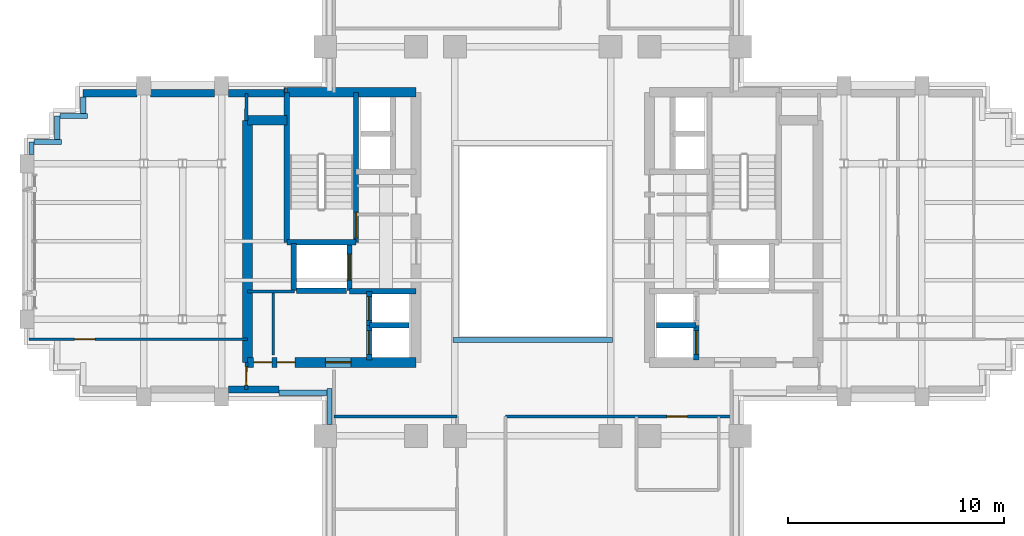
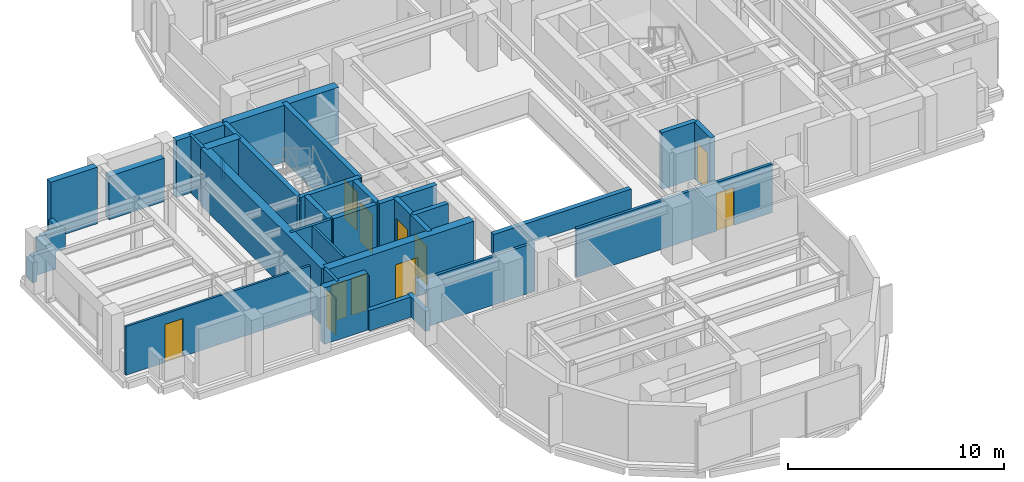
# One storey, part 8 of 14: 36 walls, 11 doors, 11 openings.
"""IFC4 building model written with IfcOpenShell, lengths in metres."""

from ifc_helpers import new_model, si_unit, direction, frame, frame_2d, origin, place, context, subcontext, project, spatial, rectangle, extrude, source, transform, mapped, material, layer, layer_set, type_object, element, fill, save


model = new_model("IFC4")

# Units and contexts
model_context = context("Model", 3, precision=1e-05, world=origin(), true_north=direction((0.0, 1.0)))
body_context = subcontext(model_context, "Body", "Model", "MODEL_VIEW")
ifc_project = project(units=[si_unit("LENGTHUNIT", "METRE"), si_unit("AREAUNIT", "SQUARE_METRE"), si_unit("VOLUMEUNIT", "CUBIC_METRE"), si_unit("PLANEANGLEUNIT", "RADIAN"), si_unit("MASSUNIT", "GRAM", prefix="KILO")], contexts=[model_context])

# Site, building, storey
site_placement = place(None, origin())
site = spatial("IfcSite", under=ifc_project, at=site_placement, CompositionType="ELEMENT")
building_placement = place(site_placement, origin())
building = spatial("IfcBuilding", under=site, at=building_placement, Name="Keilestroom Media Tower", CompositionType="ELEMENT")
storey_placement = place(building_placement, frame((0.0, 0.0, 127.800048828125)))
storey = spatial("IfcBuildingStorey", under=building, at=storey_placement, Name="L34", CompositionType="ELEMENT", Elevation=127.800048828125)

# Walls
ifc_material_1 = material(Name="Precast concrete C40/50", Category="concrete")
ifc_layer_1 = layer(ifc_material_1, 0.340087890625)
ifc_layer_set_1 = layer_set([ifc_layer_1], Name="Precast concrete C40/50")
wall_type_1 = type_object("IfcWallType", Name="Exterior-Masonry-Spandrel-Wall-340", PredefinedType="SOLIDWALL", material=ifc_layer_set_1)
wall_1_placement = place(storey_placement, frame((-20.800048828125, 6.85009765625, 0.0), z_axis=(0.0, 0.0, 1.0), x_axis=(1.0, 0.0, 0.0)))
element("IfcWall", 1, at=wall_1_placement, inside=storey, type_object=wall_type_1, Name="L34 Flank Masonry Wall EWL-L34-NW-1", PredefinedType="SOLIDWALL", context=body_context, shape_type="SweptSolid", body=[
    extrude(rectangle(XDim=2.483154296875, YDim=0.340087890625, at=frame_2d((1.24169921875, 0.0))), origin(), (0.0, 0.0, 1.0), 3.199951171875),
])
wall_2_placement = place(storey_placement, frame((-17.68310546875, 6.85009765625, 0.0), z_axis=(0.0, 0.0, 1.0), x_axis=(1.0, 0.0, 0.0)))
element("IfcWall", 2, at=wall_2_placement, inside=storey, type_object=wall_type_1, Name="L34 Flank Masonry Wall EWL-L34-NW-2", PredefinedType="SOLIDWALL", context=body_context, shape_type="SweptSolid", body=[
    extrude(rectangle(XDim=2.966064453125, YDim=0.340087890625, at=frame_2d((1.48291015625, 0.0))), origin(), (0.0, 0.0, 1.0), 2.449951171875),
])
wall_3_placement = place(storey_placement, frame((-14.0830078125, 6.85009765625, 0.0), z_axis=(0.0, 0.0, 1.0), x_axis=(1.0, 0.0, 0.0)))
element("IfcWall", 3, at=wall_3_placement, inside=storey, type_object=wall_type_1, Name="L34 Flank Masonry Wall EWL-L34-NW-3", PredefinedType="SOLIDWALL", context=body_context, shape_type="SweptSolid", body=[
    extrude(rectangle(XDim=2.5849609375, YDim=0.340087890625, at=frame_2d((1.29248046875, 0.0))), origin(), (0.0, 0.0, 1.0), 3.199951171875),
])
wall_4_placement = place(storey_placement, frame((-14.0830078125, -6.85009765625, 0.0), z_axis=(0.0, 0.0, 1.0), x_axis=(1.0, 0.0, 0.0)))
element("IfcWall", 4, at=wall_4_placement, inside=storey, type_object=wall_type_1, Name="L34 Flank Masonry Wall EWL-L34-SW-3", PredefinedType="SOLIDWALL", context=body_context, shape_type="SweptSolid", body=[
    extrude(rectangle(XDim=2.3330078125, YDim=0.340087890625, at=frame_2d((1.16650390625, 0.0))), origin(), (0.0, 0.0, 1.0), 3.199951171875),
])
ifc_material_2 = material(Name="Gypsum Plasterboard & Steel Stud", Category="steel")
ifc_layer_2 = layer(ifc_material_2, 0.1201171875)
ifc_layer_set_2 = layer_set([ifc_layer_2], Name="Gypsum Plasterboard & Steel Stud")
wall_type_2 = type_object("IfcWallType", Name="Interior-Partition-Wall-120", PredefinedType="PARTITIONING", material=ifc_layer_set_2)
wall_5_placement = place(storey_placement, frame((-12.010009765625, -5.260009765625, 0.0), z_axis=(0.0, 0.0, 1.0), x_axis=(0.0, 1.0, 0.0)))
element("IfcWall", 5, at=wall_5_placement, inside=storey, type_object=wall_type_2, Name="L34 Interior Wall WP-L34-RECLW-M", PredefinedType="PARTITIONING", context=body_context, shape_type="SweptSolid", body=[
    extrude(rectangle(XDim=2.93994140625, YDim=0.1201171875, at=frame_2d((1.469970703125, 0.0))), origin(), (0.0, 0.0, 1.0), 3.199951171875),
])

# Wall, opening, door
wall_6_placement = place(storey_placement, frame((-23.300048828125, -4.530029296875, 0.0), z_axis=(0.0, 0.0, 1.0), x_axis=(1.0, 0.0, 0.0)))
wall_6 = element("IfcWall", 6, at=wall_6_placement, inside=storey, type_object=wall_type_2, Name="L34 Interior Wall WP-L34-WA-CN", PredefinedType="PARTITIONING", context=body_context, shape_type="SweptSolid", body=[
    extrude(rectangle(XDim=10.10009765625, YDim=0.1201171875, at=frame_2d((5.050048828125, 0.0))), origin(), (0.0, 0.0, 1.0), 2.75),
])
opening_1_placement = place(wall_6_placement, frame((2.10009765625, 0.0, 0.0)))
opening_1 = element("IfcOpeningElement", 7, at=opening_1_placement, cuts=wall_6, Name="Opening DI-03", PredefinedType="OPENING", context=body_context, shape_type="SweptSolid", body=[
    extrude(rectangle(XDim=0.949951171875, YDim=2.14990234375, at=frame_2d((0.47509765625, 1.074951171875))), frame((0.0, 0.070068359375, 0.0), z_axis=(0.0, -1.0, 0.0), x_axis=(1.0, 0.0, 0.0)), (0.0, 0.0, 1.0), 0.14013671875),
])
ifc_material_3 = material(Name="Lacquered European Oak Leaf", Category="wood")
door_type_1 = type_object("IfcDoorType", Name="Interior-Room-And-Suite-Door-DI-03", OperationType="NOTDEFINED", PredefinedType="DOOR", material=ifc_material_3)
shared_shape_1 = source(origin(), body_context, "Body", "SweptSolid", [
    extrude(rectangle(XDim=0.949951171875, YDim=2.14990234375, at=frame_2d((0.47509765625, 1.074951171875))), frame((0.0, 0.02490234375, 0.0), z_axis=(0.0, -1.0, 0.0), x_axis=(1.0, 0.0, 0.0)), (0.0, 0.0, 1.0), 0.050048828125),
])
door_1_placement = place(opening_1_placement, origin())
door_1 = element("IfcDoor", 8, at=door_1_placement, inside=storey, type_object=door_type_1, Name="L34 Interior Door DI-L34-DWA-RN", OperationType="SINGLE_SWING_LEFT", OverallHeight=2.14990234375, OverallWidth=0.949951171875, PredefinedType="DOOR", context=body_context, shape_type="MappedRepresentation", body=[
    mapped(shared_shape_1, transform((0.0, 0.0, 0.0), x_axis=(1.0, 0.0, 0.0), y_axis=(0.0, 1.0, 0.0), z_axis=(0.0, 0.0, 1.0), scale=1.0)),
])
fill(opening_1, door_1)

# Walls
ifc_layer_3 = layer(ifc_material_2, 0.14990234375)
ifc_layer_set_3 = layer_set([ifc_layer_3], Name="Gypsum Plasterboard & Steel Stud")
wall_type_3 = type_object("IfcWallType", Name="Interior-Partition-Wall-150", PredefinedType="PARTITIONING", material=ifc_layer_set_3)
wall_7_placement = place(storey_placement, frame((-13.199951171875, -2.320068359375, 0.0), z_axis=(0.0, 0.0, 1.0), x_axis=(1.0, 0.0, 0.0)))
element("IfcWall", 9, at=wall_7_placement, inside=storey, type_object=wall_type_3, Name="L34 Interior Wall WP-L34-RECLW-N", PredefinedType="PARTITIONING", context=body_context, shape_type="SweptSolid", body=[
    extrude(rectangle(XDim=2.179931640625, YDim=0.14990234375, at=frame_2d((1.08984375, 0.0))), origin(), (0.0, 0.0, 1.0), 3.199951171875),
])
wall_8_placement = place(storey_placement, frame((-9.199951171875, -8.10009765625, 0.0), z_axis=(0.0, 0.0, 1.0), x_axis=(1.0, 0.0, 0.0)))
element("IfcWall", 10, at=wall_8_placement, inside=storey, type_object=wall_type_3, Name="L34 Interior Wall WP-L34-SL-BASE-W", PredefinedType="PARTITIONING", context=body_context, shape_type="SweptSolid", body=[
    extrude(rectangle(XDim=5.699951171875, YDim=0.14990234375, at=frame_2d((2.85009765625, 0.0))), origin(), (0.0, 0.0, 1.0), 2.75),
])

# Wall, opening, door
wall_9_placement = place(storey_placement, frame((-1.260009765625, -8.10009765625, 0.0), z_axis=(0.0, 0.0, 1.0), x_axis=(1.0, 0.0, 0.0)))
wall_9 = element("IfcWall", 11, at=wall_9_placement, inside=storey, type_object=wall_type_3, Name="L34 Interior Wall WP-L34-SL-BASE-E", PredefinedType="PARTITIONING", context=body_context, shape_type="SweptSolid", body=[
    extrude(rectangle(XDim=10.4599609375, YDim=0.14990234375, at=frame_2d((5.22998046875, 0.0))), origin(), (0.0, 0.0, 1.0), 2.75),
])
opening_2_placement = place(wall_9_placement, frame((7.4599609375, 0.0, 0.0)))
opening_2 = element("IfcOpeningElement", 12, at=opening_2_placement, cuts=wall_9, Name="Opening DI-03", PredefinedType="OPENING", context=body_context, shape_type="SweptSolid", body=[
    extrude(rectangle(XDim=0.949951171875, YDim=2.14990234375, at=frame_2d((0.47509765625, 1.074951171875))), frame((0.0, 0.0849609375, 0.0), z_axis=(0.0, -1.0, 0.0), x_axis=(1.0, 0.0, 0.0)), (0.0, 0.0, 1.0), 0.169921875),
])
door_2_placement = place(opening_2_placement, origin())
door_2 = element("IfcDoor", 13, at=door_2_placement, inside=storey, type_object=door_type_1, Name="L34 Interior Door DI-L34-DSL-WC", OperationType="SINGLE_SWING_LEFT", OverallHeight=2.14990234375, OverallWidth=0.949951171875, PredefinedType="DOOR", context=body_context, shape_type="MappedRepresentation", body=[
    mapped(shared_shape_1, transform((0.0, 0.0, 0.0), x_axis=(1.0, 0.0, 0.0), y_axis=(0.0, 1.0, 0.0), z_axis=(0.0, 0.0, 1.0), scale=1.0)),
])
fill(opening_2, door_2)

# Wall
wall_10_placement = place(storey_placement, frame((-13.260009765625, 5.60009765625, 0.0), z_axis=(0.0, 0.0, 1.0), x_axis=(0.016013571389, 0.999871774545, 0.0)))
element("IfcWall", 14, at=wall_10_placement, inside=storey, type_object=wall_type_3, Name="L34 Interior Wall WP-L34-WA-ENTN", PredefinedType="PARTITIONING", context=body_context, shape_type="SweptSolid", body=[
    extrude(rectangle(XDim=1.250244140625, YDim=0.14990234375, at=frame_2d((0.625, 0.0))), origin(), (0.0, 0.0, 1.0), 3.199951171875),
])

# Wall, opening, door
wall_11_placement = place(storey_placement, frame((-13.260009765625, -6.85009765625, 0.0), z_axis=(0.0, 0.0, 1.0), x_axis=(0.016013571389, 0.999871774545, 0.0)))
wall_11 = element("IfcWall", 15, at=wall_11_placement, inside=storey, type_object=wall_type_3, Name="L34 Interior Wall WP-L34-WA-ENTS", PredefinedType="PARTITIONING", context=body_context, shape_type="SweptSolid", body=[
    extrude(rectangle(XDim=1.250244140625, YDim=0.14990234375, at=frame_2d((0.625, 0.0))), origin(), (0.0, 0.0, 1.0), 3.199951171875),
])
opening_3_placement = place(wall_11_placement, frame((0.199951171875, 0.0, 0.0)))
opening_3 = element("IfcOpeningElement", 16, at=opening_3_placement, cuts=wall_11, Name="Opening DI-05", PredefinedType="OPENING", context=body_context, shape_type="SweptSolid", body=[
    extrude(rectangle(XDim=0.85009765625, YDim=2.10009765625, at=frame_2d((0.425048828125, 1.050048828125))), frame((0.0, 0.0849609375, 0.0), z_axis=(0.0, -1.0, 0.0), x_axis=(1.0, 0.0, 0.0)), (0.0, 0.0, 1.0), 0.169921875),
])
ifc_material_4 = material(Name="Moisture-Resistant Oak Leaf", Category="wood")
door_type_2 = type_object("IfcDoorType", Name="Interior-En-Suite-And-Cupboard-Door-DI-05", OperationType="NOTDEFINED", PredefinedType="DOOR", material=ifc_material_4)
shared_shape_2 = source(origin(), body_context, "Body", "SweptSolid", [
    extrude(rectangle(XDim=0.85009765625, YDim=2.10009765625, at=frame_2d((0.425048828125, 1.050048828125))), frame((0.0, 0.02490234375, 0.0), z_axis=(0.0, -1.0, 0.0), x_axis=(1.0, 0.0, 0.0)), (0.0, 0.0, 1.0), 0.050048828125),
])
door_3_placement = place(opening_3_placement, origin())
door_3 = element("IfcDoor", 17, at=door_3_placement, inside=storey, type_object=door_type_2, Name="L34 Interior Door DI-L34-DWA-ENTS", OperationType="SINGLE_SWING_LEFT", OverallHeight=2.10009765625, OverallWidth=0.85009765625, PredefinedType="DOOR", context=body_context, shape_type="MappedRepresentation", body=[
    mapped(shared_shape_2, transform((0.0, 0.0, 0.0), x_axis=(1.0, 0.0, 0.0), y_axis=(0.0, 1.0, 0.0), z_axis=(0.0, 0.0, 1.0), scale=1.0)),
])
fill(opening_3, door_3)

# Walls
ifc_material_5 = material(Name="Concrete C55/67", Category="concrete")
ifc_layer_4 = layer(ifc_material_5, 0.449951171875)
ifc_layer_set_4 = layer_set([ifc_layer_4], Name="Concrete C55/67")
wall_type_4 = type_object("IfcWallType", Name="Reinforced-Concrete-Core-Shear-Wall-450", PredefinedType="SHEAR", material=ifc_layer_set_4)
wall_12_placement = place(storey_placement, frame((-13.199951171875, -5.60009765625, 0.0), z_axis=(0.0, 0.0, 1.0), x_axis=(0.0, 1.0, 0.0)))
element("IfcWall", 18, at=wall_12_placement, inside=storey, type_object=wall_type_4, Name="L34 Core Shear Wall WL-L34-CORE-W-OUT", PredefinedType="SHEAR", context=body_context, shape_type="SweptSolid", body=[
    extrude(rectangle(XDim=11.2001953125, YDim=0.449951171875, at=frame_2d((5.60009765625, 0.0))), origin(), (0.0, 0.0, 1.0), 3.199951171875),
])
wall_13_placement = place(storey_placement, frame((-11.381103515625, 6.89990234375, 0.0), z_axis=(0.0, 0.0, 1.0), x_axis=(1.0, 0.0, 0.0)))
element("IfcWall", 19, at=wall_13_placement, inside=storey, type_object=wall_type_4, Name="L34 Core Shear Wall WL-L34-CORE-W-N", PredefinedType="SHEAR", context=body_context, shape_type="SweptSolid", body=[
    extrude(rectangle(XDim=5.981201171875, YDim=0.449951171875, at=frame_2d((2.99072265625, 0.0))), origin(), (0.0, 0.0, 1.0), 3.199951171875),
])
wall_14_placement = place(storey_placement, frame((-13.199951171875, 5.60009765625, 0.0), z_axis=(0.0, 0.0, 1.0), x_axis=(1.0, 0.0, 0.0)))
element("IfcWall", 20, at=wall_14_placement, inside=storey, type_object=wall_type_4, Name="L34 Core Shear Wall WL-L34-CNW-N", PredefinedType="SHEAR", context=body_context, shape_type="SweptSolid", body=[
    extrude(rectangle(XDim=1.81884765625, YDim=0.449951171875, at=frame_2d((0.909423828125, 0.0))), origin(), (0.0, 0.0, 1.0), 3.199951171875),
])

# Wall, openings, doors
wall_15_placement = place(storey_placement, frame((-13.199951171875, -5.60009765625, 0.0), z_axis=(0.0, 0.0, 1.0), x_axis=(1.0, 0.0, 0.0)))
wall_15 = element("IfcWall", 21, at=wall_15_placement, inside=storey, type_object=wall_type_4, Name="L34 Core Shear Wall WL-L34-CORE-W-S", PredefinedType="SHEAR", context=body_context, shape_type="SweptSolid", body=[
    extrude(rectangle(XDim=7.800048828125, YDim=0.449951171875, at=frame_2d((3.89990234375, 0.0))), origin(), (0.0, 0.0, 1.0), 3.199951171875),
])
opening_4_placement = place(wall_15_placement, frame((3.60009765625, 0.0, 0.0)))
opening_4 = element("IfcOpeningElement", 22, at=opening_4_placement, cuts=wall_15, Name="Opening DI-02", PredefinedType="OPENING", context=body_context, shape_type="SweptSolid", body=[
    extrude(rectangle(XDim=1.199951171875, YDim=2.199951171875, at=frame_2d((0.60009765625, 1.10009765625))), frame((0.0, 0.23486328125, 0.0), z_axis=(0.0, -1.0, 0.0), x_axis=(1.0, 0.0, 0.0)), (0.0, 0.0, 1.0), 0.469970703125),
])
opening_5_placement = place(wall_15_placement, frame((0.280029296875, 0.0, 0.0)))
opening_5 = element("IfcOpeningElement", 23, at=opening_5_placement, cuts=wall_15, Name="Opening DI-05", PredefinedType="OPENING", context=body_context, shape_type="SweptSolid", body=[
    extrude(rectangle(XDim=0.85009765625, YDim=2.10009765625, at=frame_2d((0.425048828125, 1.050048828125))), frame((0.0, 0.23486328125, 0.0), z_axis=(0.0, -1.0, 0.0), x_axis=(1.0, 0.0, 0.0)), (0.0, 0.0, 1.0), 0.469970703125),
])
opening_6_placement = place(wall_15_placement, frame((1.360107421875, 0.0, 0.0)))
opening_6 = element("IfcOpeningElement", 24, at=opening_6_placement, cuts=wall_15, Name="Opening DI-05", PredefinedType="OPENING", context=body_context, shape_type="SweptSolid", body=[
    extrude(rectangle(XDim=0.85009765625, YDim=2.10009765625, at=frame_2d((0.425048828125, 1.050048828125))), frame((0.0, 0.23486328125, 0.0), z_axis=(0.0, -1.0, 0.0), x_axis=(1.0, 0.0, 0.0)), (0.0, 0.0, 1.0), 0.469970703125),
])
ifc_material_6 = material(Name="Powder-Coated Steel Fire Leaf", Category="steel")
door_type_3 = type_object("IfcDoorType", Name="Interior-Compartment-Fire-Door-DI-02", OperationType="NOTDEFINED", PredefinedType="DOOR", material=ifc_material_6)
shared_shape_3 = source(origin(), body_context, "Body", "SweptSolid", [
    extrude(rectangle(XDim=1.199951171875, YDim=2.199951171875, at=frame_2d((0.60009765625, 1.10009765625))), frame((0.0, 0.02490234375, 0.0), z_axis=(0.0, -1.0, 0.0), x_axis=(1.0, 0.0, 0.0)), (0.0, 0.0, 1.0), 0.050048828125),
])
door_4_placement = place(opening_4_placement, origin())
door_4 = element("IfcDoor", 25, at=door_4_placement, inside=storey, type_object=door_type_3, Name="L34 W Passenger Lift Lobby Door", OperationType="SINGLE_SWING_LEFT", OverallHeight=2.199951171875, OverallWidth=1.199951171875, PredefinedType="DOOR", context=body_context, shape_type="MappedRepresentation", body=[
    mapped(shared_shape_3, transform((0.0, 0.0, 0.0), x_axis=(1.0, 0.0, 0.0), y_axis=(0.0, 1.0, 0.0), z_axis=(0.0, 0.0, 1.0), scale=1.0)),
])
fill(opening_4, door_4)
door_5_placement = place(opening_5_placement, origin())
door_5 = element("IfcDoor", 26, at=door_5_placement, inside=storey, type_object=door_type_2, Name="L34 Reclaimed West Closet 1 Door", OperationType="SINGLE_SWING_LEFT", OverallHeight=2.10009765625, OverallWidth=0.85009765625, PredefinedType="DOOR", context=body_context, shape_type="MappedRepresentation", body=[
    mapped(shared_shape_2, transform((0.0, 0.0, 0.0), x_axis=(1.0, 0.0, 0.0), y_axis=(0.0, 1.0, 0.0), z_axis=(0.0, 0.0, 1.0), scale=1.0)),
])
fill(opening_5, door_5)
door_6_placement = place(opening_6_placement, origin())
door_6 = element("IfcDoor", 27, at=door_6_placement, inside=storey, type_object=door_type_2, Name="L34 Reclaimed West Closet 2 Door", OperationType="SINGLE_SWING_RIGHT", OverallHeight=2.10009765625, OverallWidth=0.85009765625, PredefinedType="DOOR", context=body_context, shape_type="MappedRepresentation", body=[
    mapped(shared_shape_2, transform((0.0, 0.0, 0.0), x_axis=(1.0, 0.0, 0.0), y_axis=(0.0, 1.0, 0.0), z_axis=(0.0, 0.0, 1.0), scale=1.0)),
])
fill(opening_6, door_6)

# Wall
ifc_material_7 = material(Name="Concrete C50/60", Category="concrete")
ifc_layer_5 = layer(ifc_material_7, 0.25)
ifc_layer_set_5 = layer_set([ifc_layer_5], Name="Concrete C50/60")
wall_type_5 = type_object("IfcWallType", Name="Reinforced-Concrete-Shaft-Wall-250", PredefinedType="SOLIDWALL", material=ifc_layer_set_5)
wall_16_placement = place(storey_placement, frame((-8.47998046875, -2.300048828125, 0.0), z_axis=(0.0, 0.0, 1.0), x_axis=(1.0, 0.0, 0.0)))
element("IfcWall", 28, at=wall_16_placement, inside=storey, type_object=wall_type_5, Name="L34 Core Shear Wall WL-L34-CORE-W-FFS", PredefinedType="SOLIDWALL", context=body_context, shape_type="SweptSolid", body=[
    extrude(rectangle(XDim=3.080078125, YDim=0.25, at=frame_2d((1.5400390625, 0.0))), origin(), (0.0, 0.0, 1.0), 3.199951171875),
])

# Wall, opening, door
wall_17_placement = place(storey_placement, frame((-8.178955078125, -0.041015625, 0.0), z_axis=(0.0, 0.0, 1.0), x_axis=(0.0, 1.0, 0.0)))
wall_17 = element("IfcWall", 29, at=wall_17_placement, inside=storey, type_object=wall_type_5, Name="L34 Core Shear Wall WL-L34-STW-W-NEAR", PredefinedType="SOLIDWALL", context=body_context, shape_type="SweptSolid", body=[
    extrude(rectangle(XDim=6.94091796875, YDim=0.25, at=frame_2d((3.470458984375, 0.0))), origin(), (0.0, 0.0, 1.0), 3.199951171875),
])
opening_7_placement = place(wall_17_placement, frame((0.199951171875, 0.0, 0.0)))
opening_7 = element("IfcOpeningElement", 30, at=opening_7_placement, cuts=wall_17, Name="Opening DI-01S", PredefinedType="OPENING", context=body_context, shape_type="SweptSolid", body=[
    extrude(rectangle(XDim=1.199951171875, YDim=2.199951171875, at=frame_2d((0.60009765625, 1.10009765625))), frame((0.0, 0.135009765625, 0.0), z_axis=(0.0, -1.0, 0.0), x_axis=(1.0, 0.0, 0.0)), (0.0, 0.0, 1.0), 0.27001953125),
])
door_type_4 = type_object("IfcDoorType", Name="Interior-Stair-And-Core-Fire-Door-DI-01", OperationType="NOTDEFINED", PredefinedType="DOOR", material=ifc_material_6)
door_7_placement = place(opening_7_placement, origin())
door_7 = element("IfcDoor", 31, at=door_7_placement, inside=storey, type_object=door_type_4, Name="L34 Escape Stair ST-1 Fire Door", OperationType="SINGLE_SWING_LEFT", OverallHeight=2.199951171875, OverallWidth=1.199951171875, PredefinedType="DOOR", context=body_context, shape_type="MappedRepresentation", body=[
    mapped(shared_shape_3, transform((0.0, 0.0, 0.0), x_axis=(1.0, 0.0, 0.0), y_axis=(0.0, 1.0, 0.0), z_axis=(0.0, 0.0, 1.0), scale=1.0)),
])
fill(opening_7, door_7)

# Walls
wall_18_placement = place(storey_placement, frame((-11.381103515625, -0.041015625, 0.0), z_axis=(0.0, 0.0, 1.0), x_axis=(0.0, 1.0, 0.0)))
element("IfcWall", 32, at=wall_18_placement, inside=storey, type_object=wall_type_5, Name="L34 Core Shear Wall WL-L34-STW-W-FAR", PredefinedType="SOLIDWALL", context=body_context, shape_type="SweptSolid", body=[
    extrude(rectangle(XDim=6.94091796875, YDim=0.25, at=frame_2d((3.470458984375, 0.0))), origin(), (0.0, 0.0, 1.0), 3.199951171875),
])
wall_19_placement = place(storey_placement, frame((-11.381103515625, -0.041015625, 0.0), z_axis=(0.0, 0.0, 1.0), x_axis=(1.0, 0.0, 0.0)))
element("IfcWall", 33, at=wall_19_placement, inside=storey, type_object=wall_type_5, Name="L34 Core Shear Wall WL-L34-STW-W-S", PredefinedType="SOLIDWALL", context=body_context, shape_type="SweptSolid", body=[
    extrude(rectangle(XDim=3.2021484375, YDim=0.25, at=frame_2d((1.60107421875, 0.0))), origin(), (0.0, 0.0, 1.0), 3.199951171875),
])
wall_20_placement = place(storey_placement, frame((-11.050048828125, -2.280029296875, 0.0), z_axis=(0.0, 0.0, 1.0), x_axis=(0.0, 1.0, 0.0)))
element("IfcWall", 34, at=wall_20_placement, inside=storey, type_object=wall_type_5, Name="L34 Core Shear Wall WL-L34-LSH-FFL-1-W", PredefinedType="SOLIDWALL", context=body_context, shape_type="SweptSolid", body=[
    extrude(rectangle(XDim=2.179931640625, YDim=0.25, at=frame_2d((1.08984375, 0.0))), origin(), (0.0, 0.0, 1.0), 3.199951171875),
])

# Wall, opening, door
wall_21_placement = place(storey_placement, frame((-8.47998046875, -2.280029296875, 0.0), z_axis=(0.0, 0.0, 1.0), x_axis=(0.0, 1.0, 0.0)))
wall_21 = element("IfcWall", 35, at=wall_21_placement, inside=storey, type_object=wall_type_5, Name="L34 Core Shear Wall WL-L34-LSH-FFL-1-E", PredefinedType="SOLIDWALL", context=body_context, shape_type="SweptSolid", body=[
    extrude(rectangle(XDim=2.179931640625, YDim=0.25, at=frame_2d((1.08984375, 0.0))), origin(), (0.0, 0.0, 1.0), 3.199951171875),
])
opening_8_placement = place(wall_21_placement, frame((0.489990234375, 0.0, 0.0)))
opening_8 = element("IfcOpeningElement", 36, at=opening_8_placement, cuts=wall_21, Name="Opening LD-02", PredefinedType="OPENING", context=body_context, shape_type="SweptSolid", body=[
    extrude(rectangle(XDim=1.199951171875, YDim=2.199951171875, at=frame_2d((0.60009765625, 1.10009765625))), frame((0.0, 0.135009765625, 0.0), z_axis=(0.0, -1.0, 0.0), x_axis=(1.0, 0.0, 0.0)), (0.0, 0.0, 1.0), 0.27001953125),
])
ifc_material_8 = material(Name="Brushed Stainless Steel Sliding Leaf", Category="steel")
door_type_5 = type_object("IfcDoorType", Name="Lift-Landing-Sliding-Door-LD-02", OperationType="SLIDING_TO_RIGHT", PredefinedType="DOOR", material=ifc_material_8)
door_8_placement = place(opening_8_placement, origin())
door_8 = element("IfcDoor", 37, at=door_8_placement, inside=storey, type_object=door_type_5, Name="L34 Lift FFL-1 Landing Sliding Door", OperationType="SLIDING_TO_RIGHT", OverallHeight=2.199951171875, OverallWidth=1.199951171875, PredefinedType="DOOR", context=body_context, shape_type="MappedRepresentation", body=[
    mapped(shared_shape_3, transform((0.0, 0.0, 0.0), x_axis=(1.0, 0.0, 0.0), y_axis=(0.0, 1.0, 0.0), z_axis=(0.0, 0.0, 1.0), scale=1.0)),
])
fill(opening_8, door_8)

# Wall
wall_22_placement = place(storey_placement, frame((-10.9208984375, -2.280029296875, 0.0), z_axis=(0.0, 0.0, 1.0), x_axis=(1.0, 0.0, 0.0)))
element("IfcWall", 38, at=wall_22_placement, inside=storey, type_object=wall_type_5, Name="L34 Core Shear Wall WL-L34-LSH-FFL-1-S", PredefinedType="SOLIDWALL", context=body_context, shape_type="SweptSolid", body=[
    extrude(rectangle(XDim=2.31201171875, YDim=0.25, at=frame_2d((1.156005859375, 0.0))), origin(), (0.0, 0.0, 1.0), 3.199951171875),
])

# Wall, opening, door
wall_23_placement = place(storey_placement, frame((-7.56005859375, -5.47998046875, 0.0), z_axis=(0.0, 0.0, 1.0), x_axis=(0.0, 1.0, 0.0)))
wall_23 = element("IfcWall", 39, at=wall_23_placement, inside=storey, type_object=wall_type_5, Name="L34 Core Shear Wall WL-L34-LSH-PL-M1-W", PredefinedType="SOLIDWALL", context=body_context, shape_type="SweptSolid", body=[
    extrude(rectangle(XDim=1.60009765625, YDim=0.25, at=frame_2d((0.800048828125, 0.0))), origin(), (0.0, 0.0, 1.0), 3.199951171875),
])
opening_9_placement = place(wall_23_placement, frame((0.25, 0.0, 0.0)))
opening_9 = element("IfcOpeningElement", 40, at=opening_9_placement, cuts=wall_23, Name="Opening LD-01", PredefinedType="OPENING", context=body_context, shape_type="SweptSolid", body=[
    extrude(rectangle(XDim=1.10009765625, YDim=2.199951171875, at=frame_2d((0.550048828125, 1.10009765625))), frame((0.0, 0.135009765625, 0.0), z_axis=(0.0, -1.0, 0.0), x_axis=(1.0, 0.0, 0.0)), (0.0, 0.0, 1.0), 0.27001953125),
])
door_type_6 = type_object("IfcDoorType", Name="Lift-Landing-Sliding-Door-LD-01", OperationType="SLIDING_TO_LEFT", PredefinedType="DOOR", material=ifc_material_8)
shared_shape_4 = source(origin(), body_context, "Body", "SweptSolid", [
    extrude(rectangle(XDim=1.10009765625, YDim=2.199951171875, at=frame_2d((0.550048828125, 1.10009765625))), frame((0.0, 0.02490234375, 0.0), z_axis=(0.0, -1.0, 0.0), x_axis=(1.0, 0.0, 0.0)), (0.0, 0.0, 1.0), 0.050048828125),
])
door_9_placement = place(opening_9_placement, origin())
door_9 = element("IfcDoor", 41, at=door_9_placement, inside=storey, type_object=door_type_6, Name="L34 Lift PL-M1 Landing Sliding Door", OperationType="SLIDING_TO_LEFT", OverallHeight=2.199951171875, OverallWidth=1.10009765625, PredefinedType="DOOR", context=body_context, shape_type="MappedRepresentation", body=[
    mapped(shared_shape_4, transform((0.0, 0.0, 0.0), x_axis=(1.0, 0.0, 0.0), y_axis=(0.0, 1.0, 0.0), z_axis=(0.0, 0.0, 1.0), scale=1.0)),
])
fill(opening_9, door_9)

# Wall
wall_24_placement = place(storey_placement, frame((-7.56005859375, -3.8798828125, 0.0), z_axis=(0.0, 0.0, 1.0), x_axis=(1.0, 0.0, 0.0)))
element("IfcWall", 42, at=wall_24_placement, inside=storey, type_object=wall_type_5, Name="L34 Core Shear Wall WL-L34-LSH-PL-M1-N", PredefinedType="SOLIDWALL", context=body_context, shape_type="SweptSolid", body=[
    extrude(rectangle(XDim=1.840087890625, YDim=0.25, at=frame_2d((0.919921875, 0.0))), origin(), (0.0, 0.0, 1.0), 3.199951171875),
])

# Wall, opening, door
wall_25_placement = place(storey_placement, frame((-7.56005859375, -3.8798828125, 0.0), z_axis=(0.0, 0.0, 1.0), x_axis=(0.0, 1.0, 0.0)))
wall_25 = element("IfcWall", 43, at=wall_25_placement, inside=storey, type_object=wall_type_5, Name="L34 Core Shear Wall WL-L34-LSH-PL-M2-W", PredefinedType="SOLIDWALL", context=body_context, shape_type="SweptSolid", body=[
    extrude(rectangle(XDim=1.559814453125, YDim=0.25, at=frame_2d((0.77978515625, 0.0))), origin(), (0.0, 0.0, 1.0), 3.199951171875),
])
opening_10_placement = place(wall_25_placement, frame((0.22998046875, 0.0, 0.0)))
opening_10 = element("IfcOpeningElement", 44, at=opening_10_placement, cuts=wall_25, Name="Opening LD-01", PredefinedType="OPENING", context=body_context, shape_type="SweptSolid", body=[
    extrude(rectangle(XDim=1.10009765625, YDim=2.199951171875, at=frame_2d((0.550048828125, 1.10009765625))), frame((0.0, 0.135009765625, 0.0), z_axis=(0.0, -1.0, 0.0), x_axis=(1.0, 0.0, 0.0)), (0.0, 0.0, 1.0), 0.27001953125),
])
door_10_placement = place(opening_10_placement, origin())
door_10 = element("IfcDoor", 45, at=door_10_placement, inside=storey, type_object=door_type_6, Name="L34 Lift PL-M2 Landing Sliding Door", OperationType="SLIDING_TO_LEFT", OverallHeight=2.199951171875, OverallWidth=1.10009765625, PredefinedType="DOOR", context=body_context, shape_type="MappedRepresentation", body=[
    mapped(shared_shape_4, transform((0.0, 0.0, 0.0), x_axis=(1.0, 0.0, 0.0), y_axis=(0.0, 1.0, 0.0), z_axis=(0.0, 0.0, 1.0), scale=1.0)),
])
fill(opening_10, door_10)

wall_26_placement = place(storey_placement, frame((7.56005859375, -5.47998046875, 0.0), z_axis=(0.0, 0.0, 1.0), x_axis=(0.0, 1.0, 0.0)))
wall_26 = element("IfcWall", 46, at=wall_26_placement, inside=storey, type_object=wall_type_5, Name="L34 Core Shear Wall WL-L34-LSH-PL-M3-E", PredefinedType="SOLIDWALL", context=body_context, shape_type="SweptSolid", body=[
    extrude(rectangle(XDim=1.60009765625, YDim=0.25, at=frame_2d((0.800048828125, 0.0))), origin(), (0.0, 0.0, 1.0), 3.199951171875),
])
opening_11_placement = place(wall_26_placement, frame((0.25, 0.0, 0.0)))
opening_11 = element("IfcOpeningElement", 47, at=opening_11_placement, cuts=wall_26, Name="Opening LD-01", PredefinedType="OPENING", context=body_context, shape_type="SweptSolid", body=[
    extrude(rectangle(XDim=1.10009765625, YDim=2.199951171875, at=frame_2d((0.550048828125, 1.10009765625))), frame((0.0, 0.135009765625, 0.0), z_axis=(0.0, -1.0, 0.0), x_axis=(1.0, 0.0, 0.0)), (0.0, 0.0, 1.0), 0.27001953125),
])
door_11_placement = place(opening_11_placement, origin())
door_11 = element("IfcDoor", 48, at=door_11_placement, inside=storey, type_object=door_type_6, Name="L34 Lift PL-M3 Landing Sliding Door", OperationType="SLIDING_TO_LEFT", OverallHeight=2.199951171875, OverallWidth=1.10009765625, PredefinedType="DOOR", context=body_context, shape_type="MappedRepresentation", body=[
    mapped(shared_shape_4, transform((0.0, 0.0, 0.0), x_axis=(1.0, 0.0, 0.0), y_axis=(0.0, 1.0, 0.0), z_axis=(0.0, 0.0, 1.0), scale=1.0)),
])
fill(opening_11, door_11)

# Walls
wall_27_placement = place(storey_placement, frame((5.719970703125, -3.8798828125, 0.0), z_axis=(0.0, 0.0, 1.0), x_axis=(1.0, 0.0, 0.0)))
element("IfcWall", 49, at=wall_27_placement, inside=storey, type_object=wall_type_5, Name="L34 Core Shear Wall WL-L34-LSH-PL-M3-N", PredefinedType="SOLIDWALL", context=body_context, shape_type="SweptSolid", body=[
    extrude(rectangle(XDim=1.840087890625, YDim=0.25, at=frame_2d((0.919921875, 0.0))), origin(), (0.0, 0.0, 1.0), 3.199951171875),
])
ifc_layer_6 = layer(ifc_material_1, 0.239990234375)
ifc_layer_set_6 = layer_set([ifc_layer_6], Name="Precast concrete C40/50")
wall_type_6 = type_object("IfcWallType", Name="Roof-And-Terrace-Parapet-Wall-240", PredefinedType="PARAPET", material=ifc_layer_set_6)
wall_28_placement = place(storey_placement, frame((-9.39990234375, -8.471923828125, 0.0), z_axis=(0.0, 0.0, 1.0), x_axis=(0.0, 1.0, 0.0)))
element("IfcWall", 50, at=wall_28_placement, inside=storey, type_object=wall_type_6, Name="L34 Perimeter Edge Parapet Wall 09", PredefinedType="PARAPET", context=body_context, shape_type="SweptSolid", body=[
    extrude(rectangle(XDim=1.671875, YDim=0.239990234375, at=frame_2d((0.8359375, 0.0))), origin(), (0.0, 0.0, 1.0), 1.14990234375),
])
wall_29_placement = place(storey_placement, frame((-9.52294921875, -7.0, 0.0), z_axis=(0.0, 0.0, 1.0), x_axis=(-1.0, 0.0, 0.0)))
element("IfcWall", 51, at=wall_29_placement, inside=storey, type_object=wall_type_6, Name="L34 Perimeter Edge Parapet Wall 10", PredefinedType="PARAPET", context=body_context, shape_type="SweptSolid", body=[
    extrude(rectangle(XDim=2.22412109375, YDim=0.239990234375, at=frame_2d((1.112060546875, 0.0))), origin(), (0.0, 0.0, 1.0), 1.14990234375),
])
wall_30_placement = place(storey_placement, frame((-23.199951171875, 4.028076171875, 0.0), z_axis=(0.0, 0.0, 1.0), x_axis=(0.0, 1.0, 0.0)))
element("IfcWall", 52, at=wall_30_placement, inside=storey, type_object=wall_type_6, Name="L34 Perimeter Edge Parapet Wall 15", PredefinedType="PARAPET", context=body_context, shape_type="SweptSolid", body=[
    extrude(rectangle(XDim=0.572021484375, YDim=0.239990234375, at=frame_2d((0.2861328125, 0.0))), origin(), (0.0, 0.0, 1.0), 1.14990234375),
])
wall_31_placement = place(storey_placement, frame((-23.076904296875, 4.60009765625, 0.0), z_axis=(0.0, 0.0, 1.0), x_axis=(1.0, 0.0, 0.0)))
element("IfcWall", 53, at=wall_31_placement, inside=storey, type_object=wall_type_6, Name="L34 Perimeter Edge Parapet Wall 16", PredefinedType="PARAPET", context=body_context, shape_type="SweptSolid", body=[
    extrude(rectangle(XDim=1.27685546875, YDim=0.239990234375, at=frame_2d((0.638427734375, 0.0))), origin(), (0.0, 0.0, 1.0), 1.14990234375),
])
wall_32_placement = place(storey_placement, frame((-22.0, 4.722900390625, 0.0), z_axis=(0.0, 0.0, 1.0), x_axis=(0.0, 1.0, 0.0)))
element("IfcWall", 54, at=wall_32_placement, inside=storey, type_object=wall_type_6, Name="L34 Perimeter Edge Parapet Wall 17", PredefinedType="PARAPET", context=body_context, shape_type="SweptSolid", body=[
    extrude(rectangle(XDim=1.0771484375, YDim=0.239990234375, at=frame_2d((0.53857421875, 0.0))), origin(), (0.0, 0.0, 1.0), 1.14990234375),
])
wall_33_placement = place(storey_placement, frame((-21.876953125, 5.800048828125, 0.0), z_axis=(0.0, 0.0, 1.0), x_axis=(1.0, 0.0, 0.0)))
element("IfcWall", 55, at=wall_33_placement, inside=storey, type_object=wall_type_6, Name="L34 Perimeter Edge Parapet Wall 18", PredefinedType="PARAPET", context=body_context, shape_type="SweptSolid", body=[
    extrude(rectangle(XDim=1.27685546875, YDim=0.239990234375, at=frame_2d((0.638427734375, 0.0))), origin(), (0.0, 0.0, 1.0), 1.14990234375),
])
wall_34_placement = place(storey_placement, frame((-20.800048828125, 5.923095703125, 0.0), z_axis=(0.0, 0.0, 1.0), x_axis=(0.0, 1.0, 0.0)))
element("IfcWall", 56, at=wall_34_placement, inside=storey, type_object=wall_type_6, Name="L34 Perimeter Edge Parapet Wall 19", PredefinedType="PARAPET", context=body_context, shape_type="SweptSolid", body=[
    extrude(rectangle(XDim=0.75390625, YDim=0.239990234375, at=frame_2d((0.376953125, 0.0))), origin(), (0.0, 0.0, 1.0), 1.14990234375),
])
wall_35_placement = place(storey_placement, frame((-11.4951171875, 7.0, 0.0), z_axis=(0.0, 0.0, 1.0), x_axis=(1.0, 0.0, 0.0)))
element("IfcWall", 57, at=wall_35_placement, inside=storey, type_object=wall_type_6, Name="L34 Perimeter Edge Parapet Wall 20", PredefinedType="PARAPET", context=body_context, shape_type="SweptSolid", body=[
    extrude(rectangle(XDim=0.092041015625, YDim=0.239990234375, at=frame_2d((0.0458984375, 0.0))), origin(), (0.0, 0.0, 1.0), 1.14990234375),
])
wall_36_placement = place(storey_placement, frame((-3.679931640625, -4.56005859375, 0.0), z_axis=(0.0, 0.0, 1.0), x_axis=(1.0, 0.0, 0.0)))
element("IfcWall", 58, at=wall_36_placement, inside=storey, type_object=wall_type_6, Name="L34 Central Atrium Guard Parapet S", PredefinedType="PARAPET", context=body_context, shape_type="SweptSolid", body=[
    extrude(rectangle(XDim=7.35986328125, YDim=0.239990234375, at=frame_2d((3.679931640625, 0.0))), origin(), (0.0, 0.0, 1.0), 1.14990234375),
])

save(model, "model.ifc")
